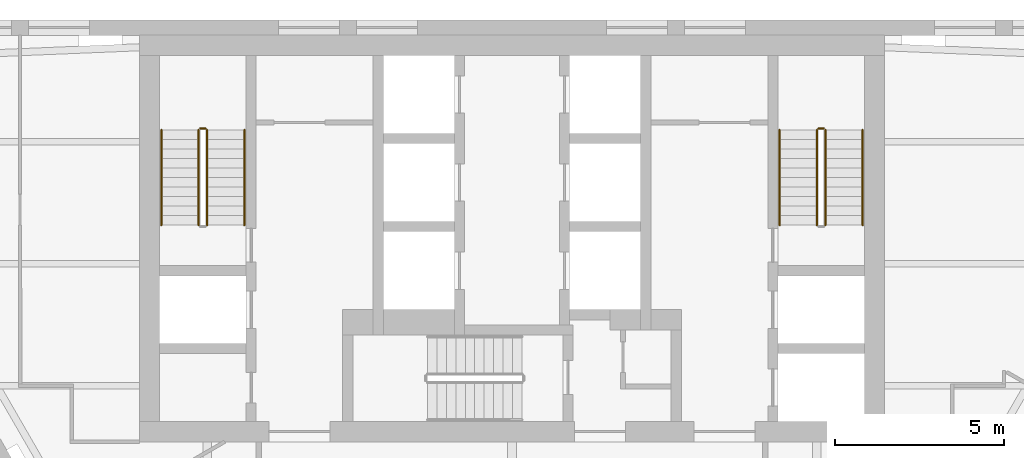
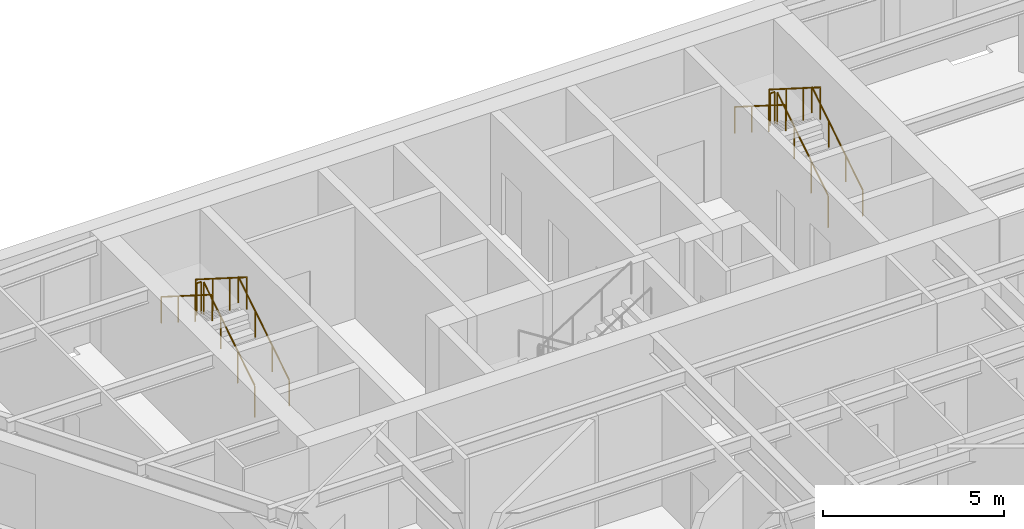
# One storey, part 7 of 7: 10 railings.
"""IFC4 building model written with IfcOpenShell, lengths in metres."""

from ifc_helpers import new_model, si_unit, direction, frame, origin, origin_2d, place, context, subcontext, project, spatial, circle, extrude, material, type_object, element, save


model = new_model("IFC4")

# Units and contexts
model_context = context("Model", 3, precision=1e-05, world=origin(), true_north=direction((0.0, 1.0)))
body_context = subcontext(model_context, "Body", "Model", "MODEL_VIEW")
ifc_project = project(units=[si_unit("LENGTHUNIT", "METRE"), si_unit("AREAUNIT", "SQUARE_METRE"), si_unit("VOLUMEUNIT", "CUBIC_METRE"), si_unit("PLANEANGLEUNIT", "RADIAN"), si_unit("MASSUNIT", "GRAM", prefix="KILO")], contexts=[model_context])

# Site, building, storey
site_placement = place(None, origin())
site = spatial("IfcSite", under=ifc_project, at=site_placement, CompositionType="ELEMENT")
building_placement = place(site_placement, origin())
building = spatial("IfcBuilding", under=site, at=building_placement, Name="Aloe Facet Convention Tower", CompositionType="ELEMENT")
storey_placement = place(building_placement, frame((0.0, 0.0, 207.5)))
storey = spatial("IfcBuildingStorey", under=building, at=storey_placement, Name="L52", CompositionType="ELEMENT", Elevation=207.5)

# Railings
ifc_material_1 = material(Name="Steel S355 balustrade", Category="steel")
railing_type_1 = type_object("IfcRailingType", Name="CR-RL-GUARD", PredefinedType="GUARDRAIL", material=ifc_material_1)
railing_1_placement = place(storey_placement, frame((71.0, 128.949951171875, 0.17724609375)))
element("IfcRailing", 1, at=railing_1_placement, inside=storey, type_object=railing_type_1, Name="L52 ST1 stair guard 1", PredefinedType="GUARDRAIL", context=body_context, shape_type="SweptSolid", body=[
    extrude(circle(Radius=0.02392578125, at=origin_2d()), frame((0.0, 0.0, 1.076171875), z_axis=(0.0, 0.844908973607, 0.534910110503), x_axis=(-1.0, 0.0, 0.0)), (0.0, 0.0, 1.0), 3.31396484375),
    extrude(circle(Radius=0.02099609375, at=origin_2d()), origin(), (0.0, 0.0, 1.0), 1.052001953125),
    extrude(circle(Radius=0.02099609375, at=origin_2d()), frame((0.0, 0.933349609375, 0.5908203125)), (0.0, 0.0, 1.0), 1.052001953125),
    extrude(circle(Radius=0.02099609375, at=origin_2d()), frame((0.0, 1.86669921875, 1.181884765625)), (0.0, 0.0, 1.0), 1.052001953125),
    extrude(circle(Radius=0.02099609375, at=origin_2d()), frame((0.0, 2.800048828125, 1.772705078125)), (0.0, 0.0, 1.0), 1.052001953125),
])
railing_2_placement = place(storey_placement, frame((70.949951171875, 131.800048828125, 1.949951171875)))
element("IfcRailing", 2, at=railing_2_placement, inside=storey, type_object=railing_type_1, Name="L52 ST1 stair guard 2", PredefinedType="GUARDRAIL", context=body_context, shape_type="SweptSolid", body=[
    extrude(circle(Radius=0.02392578125, at=origin_2d()), frame((0.0, 0.0, 1.076171875), z_axis=(-1.0, 0.0, 0.0), x_axis=(0.0, -1.0, 0.0)), (0.0, 0.0, 1.0), 0.14990234375),
    extrude(circle(Radius=0.02099609375, at=origin_2d()), origin(), (0.0, 0.0, 1.0), 1.052001953125),
    extrude(circle(Radius=0.02099609375, at=origin_2d()), frame((-0.14990234375, 0.0, 0.0)), (0.0, 0.0, 1.0), 1.052001953125),
])
railing_3_placement = place(storey_placement, frame((70.75, 131.75, 2.127197265625)))
element("IfcRailing", 3, at=railing_3_placement, inside=storey, type_object=railing_type_1, Name="L52 ST1 stair guard 3", PredefinedType="GUARDRAIL", context=body_context, shape_type="SweptSolid", body=[
    extrude(circle(Radius=0.02392578125, at=origin_2d()), frame((0.0, 0.0, 1.076171875), z_axis=(0.0, -0.844908973607, 0.534910110503), x_axis=(1.0, 0.0, 0.0)), (0.0, 0.0, 1.0), 3.31396484375),
    extrude(circle(Radius=0.02099609375, at=origin_2d()), origin(), (0.0, 0.0, 1.0), 1.052001953125),
    extrude(circle(Radius=0.02099609375, at=origin_2d()), frame((0.0, -0.933349609375, 0.5908203125)), (0.0, 0.0, 1.0), 1.052001953125),
    extrude(circle(Radius=0.02099609375, at=origin_2d()), frame((0.0, -1.86669921875, 1.181884765625)), (0.0, 0.0, 1.0), 1.052001953125),
    extrude(circle(Radius=0.02099609375, at=origin_2d()), frame((0.0, -2.800048828125, 1.772705078125)), (0.0, 0.0, 1.0), 1.052001953125),
])
railing_4_placement = place(storey_placement, frame((89.25, 128.949951171875, 0.17724609375)))
element("IfcRailing", 4, at=railing_4_placement, inside=storey, type_object=railing_type_1, Name="L52 ST2 stair guard 1", PredefinedType="GUARDRAIL", context=body_context, shape_type="SweptSolid", body=[
    extrude(circle(Radius=0.02392578125, at=origin_2d()), frame((0.0, 0.0, 1.076171875), z_axis=(0.0, 0.844908973607, 0.534910110503), x_axis=(-1.0, 0.0, 0.0)), (0.0, 0.0, 1.0), 3.31396484375),
    extrude(circle(Radius=0.02099609375, at=origin_2d()), origin(), (0.0, 0.0, 1.0), 1.052001953125),
    extrude(circle(Radius=0.02099609375, at=origin_2d()), frame((0.0, 0.933349609375, 0.5908203125)), (0.0, 0.0, 1.0), 1.052001953125),
    extrude(circle(Radius=0.02099609375, at=origin_2d()), frame((0.0, 1.86669921875, 1.181884765625)), (0.0, 0.0, 1.0), 1.052001953125),
    extrude(circle(Radius=0.02099609375, at=origin_2d()), frame((0.0, 2.800048828125, 1.772705078125)), (0.0, 0.0, 1.0), 1.052001953125),
])
railing_5_placement = place(storey_placement, frame((89.199951171875, 131.800048828125, 1.949951171875)))
element("IfcRailing", 5, at=railing_5_placement, inside=storey, type_object=railing_type_1, Name="L52 ST2 stair guard 2", PredefinedType="GUARDRAIL", context=body_context, shape_type="SweptSolid", body=[
    extrude(circle(Radius=0.02392578125, at=origin_2d()), frame((0.0, 0.0, 1.076171875), z_axis=(-1.0, 0.0, 0.0), x_axis=(0.0, -1.0, 0.0)), (0.0, 0.0, 1.0), 0.14990234375),
    extrude(circle(Radius=0.02099609375, at=origin_2d()), origin(), (0.0, 0.0, 1.0), 1.052001953125),
    extrude(circle(Radius=0.02099609375, at=origin_2d()), frame((-0.14990234375, 0.0, 0.0)), (0.0, 0.0, 1.0), 1.052001953125),
])
railing_6_placement = place(storey_placement, frame((89.0, 131.75, 2.127197265625)))
element("IfcRailing", 6, at=railing_6_placement, inside=storey, type_object=railing_type_1, Name="L52 ST2 stair guard 3", PredefinedType="GUARDRAIL", context=body_context, shape_type="SweptSolid", body=[
    extrude(circle(Radius=0.02392578125, at=origin_2d()), frame((0.0, 0.0, 1.076171875), z_axis=(0.0, -0.844908973607, 0.534910110503), x_axis=(1.0, 0.0, 0.0)), (0.0, 0.0, 1.0), 3.31396484375),
    extrude(circle(Radius=0.02099609375, at=origin_2d()), origin(), (0.0, 0.0, 1.0), 1.052001953125),
    extrude(circle(Radius=0.02099609375, at=origin_2d()), frame((0.0, -0.933349609375, 0.5908203125)), (0.0, 0.0, 1.0), 1.052001953125),
    extrude(circle(Radius=0.02099609375, at=origin_2d()), frame((0.0, -1.86669921875, 1.181884765625)), (0.0, 0.0, 1.0), 1.052001953125),
    extrude(circle(Radius=0.02099609375, at=origin_2d()), frame((0.0, -2.800048828125, 1.772705078125)), (0.0, 0.0, 1.0), 1.052001953125),
])
ifc_material_2 = material(Name="Steel S355 handrail", Category="steel")
railing_type_2 = type_object("IfcRailingType", Name="CR-RL-HAND", PredefinedType="HANDRAIL", material=ifc_material_2)
railing_7_placement = place(storey_placement, frame((72.10009765625, 128.949951171875, 0.17724609375)))
element("IfcRailing", 7, at=railing_7_placement, inside=storey, type_object=railing_type_2, Name="L52 ST1 stair handrail 1", PredefinedType="HANDRAIL", context=body_context, shape_type="SweptSolid", body=[
    extrude(circle(Radius=0.02392578125, at=origin_2d()), frame((0.0, 0.0, 0.8759765625), z_axis=(0.0, 0.844908973607, 0.534910110503), x_axis=(-1.0, 0.0, 0.0)), (0.0, 0.0, 1.0), 3.31396484375),
    extrude(circle(Radius=0.02099609375, at=origin_2d()), origin(), (0.0, 0.0, 1.0), 0.851806640625),
    extrude(circle(Radius=0.02099609375, at=origin_2d()), frame((0.0, 0.933349609375, 0.5908203125)), (0.0, 0.0, 1.0), 0.851806640625),
    extrude(circle(Radius=0.02099609375, at=origin_2d()), frame((0.0, 1.86669921875, 1.181884765625)), (0.0, 0.0, 1.0), 0.851806640625),
    extrude(circle(Radius=0.02099609375, at=origin_2d()), frame((0.0, 2.800048828125, 1.772705078125)), (0.0, 0.0, 1.0), 0.851806640625),
])
railing_8_placement = place(storey_placement, frame((69.64990234375, 131.75, 2.127197265625)))
element("IfcRailing", 8, at=railing_8_placement, inside=storey, type_object=railing_type_2, Name="L52 ST1 stair handrail 2", PredefinedType="HANDRAIL", context=body_context, shape_type="SweptSolid", body=[
    extrude(circle(Radius=0.02392578125, at=origin_2d()), frame((0.0, 0.0, 0.8759765625), z_axis=(0.0, -0.844908973607, 0.534910110503), x_axis=(1.0, 0.0, 0.0)), (0.0, 0.0, 1.0), 3.31396484375),
    extrude(circle(Radius=0.02099609375, at=origin_2d()), origin(), (0.0, 0.0, 1.0), 0.851806640625),
    extrude(circle(Radius=0.02099609375, at=origin_2d()), frame((0.0, -0.933349609375, 0.5908203125)), (0.0, 0.0, 1.0), 0.851806640625),
    extrude(circle(Radius=0.02099609375, at=origin_2d()), frame((0.0, -1.86669921875, 1.181884765625)), (0.0, 0.0, 1.0), 0.851806640625),
    extrude(circle(Radius=0.02099609375, at=origin_2d()), frame((0.0, -2.800048828125, 1.772705078125)), (0.0, 0.0, 1.0), 0.851806640625),
])
railing_9_placement = place(storey_placement, frame((90.35009765625, 128.949951171875, 0.17724609375)))
element("IfcRailing", 9, at=railing_9_placement, inside=storey, type_object=railing_type_2, Name="L52 ST2 stair handrail 1", PredefinedType="HANDRAIL", context=body_context, shape_type="SweptSolid", body=[
    extrude(circle(Radius=0.02392578125, at=origin_2d()), frame((0.0, 0.0, 0.8759765625), z_axis=(0.0, 0.844908973607, 0.534910110503), x_axis=(-1.0, 0.0, 0.0)), (0.0, 0.0, 1.0), 3.31396484375),
    extrude(circle(Radius=0.02099609375, at=origin_2d()), origin(), (0.0, 0.0, 1.0), 0.851806640625),
    extrude(circle(Radius=0.02099609375, at=origin_2d()), frame((0.0, 0.933349609375, 0.5908203125)), (0.0, 0.0, 1.0), 0.851806640625),
    extrude(circle(Radius=0.02099609375, at=origin_2d()), frame((0.0, 1.86669921875, 1.181884765625)), (0.0, 0.0, 1.0), 0.851806640625),
    extrude(circle(Radius=0.02099609375, at=origin_2d()), frame((0.0, 2.800048828125, 1.772705078125)), (0.0, 0.0, 1.0), 0.851806640625),
])
railing_10_placement = place(storey_placement, frame((87.89990234375, 131.75, 2.127197265625)))
element("IfcRailing", 10, at=railing_10_placement, inside=storey, type_object=railing_type_2, Name="L52 ST2 stair handrail 2", PredefinedType="HANDRAIL", context=body_context, shape_type="SweptSolid", body=[
    extrude(circle(Radius=0.02392578125, at=origin_2d()), frame((0.0, 0.0, 0.8759765625), z_axis=(0.0, -0.844908973607, 0.534910110503), x_axis=(1.0, 0.0, 0.0)), (0.0, 0.0, 1.0), 3.31396484375),
    extrude(circle(Radius=0.02099609375, at=origin_2d()), origin(), (0.0, 0.0, 1.0), 0.851806640625),
    extrude(circle(Radius=0.02099609375, at=origin_2d()), frame((0.0, -0.933349609375, 0.5908203125)), (0.0, 0.0, 1.0), 0.851806640625),
    extrude(circle(Radius=0.02099609375, at=origin_2d()), frame((0.0, -1.86669921875, 1.181884765625)), (0.0, 0.0, 1.0), 0.851806640625),
    extrude(circle(Radius=0.02099609375, at=origin_2d()), frame((0.0, -2.800048828125, 1.772705078125)), (0.0, 0.0, 1.0), 0.851806640625),
])

save(model, "model.ifc")
